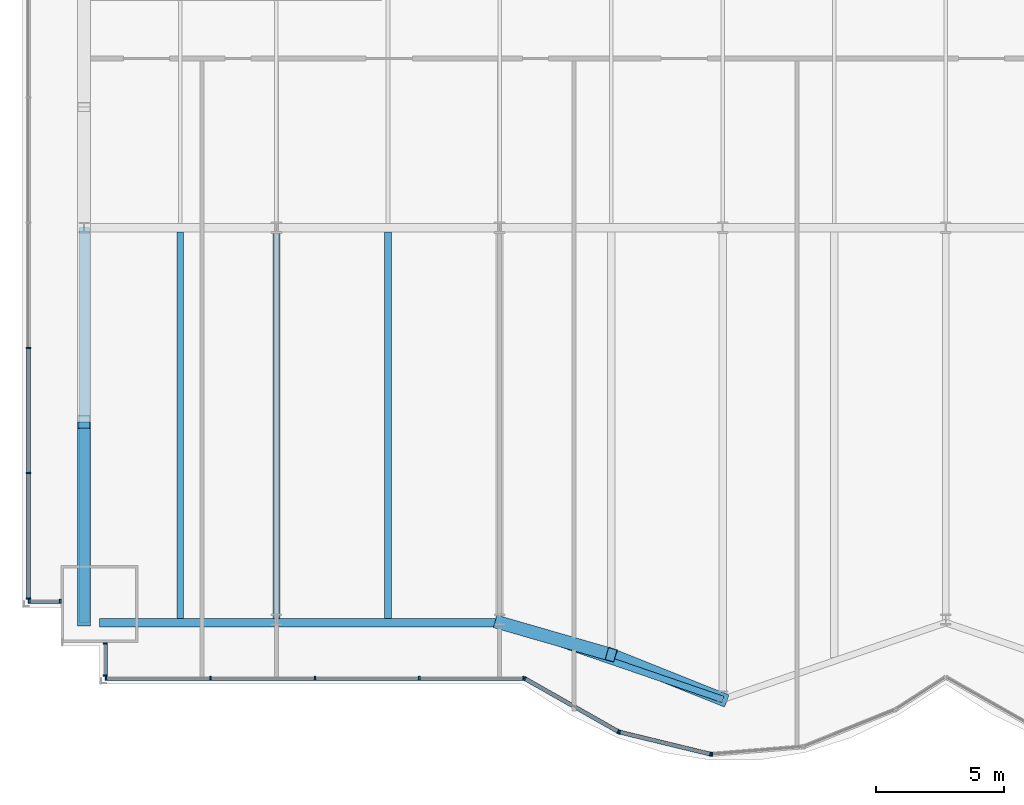
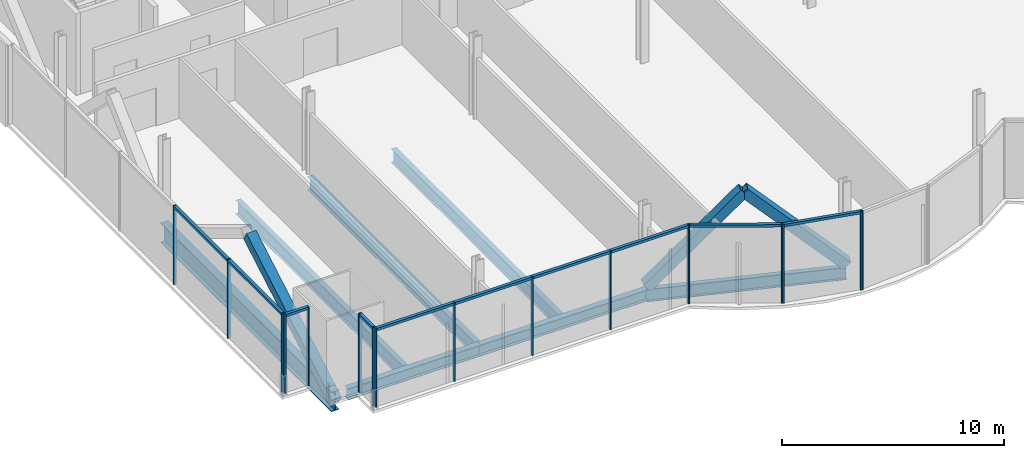
# One storey, part 4 of 21: 30 members, 7 beams, 5 elements without a shape of their own.
"""IFC4 building model written with IfcOpenShell, lengths in metres."""

import ifcopenshell
import ifcopenshell.guid

model = None  # the IFC model being written
_history = None  # IfcOwnerHistory: only IFC2X3 demands one
_inside = {}  # id of a spatial element -> (the spatial element, [elements in it])
_under = {}  # id of a project, library or spatial element -> (it, [spatial elements below it])
_declared = {}  # id of a project -> (the project, [libraries it declares])
_typed = {}  # id of a type object -> (the type object, [elements of that type])
_made_of = {}  # id of a material, layer set ... -> (it, [elements and type objects made of it])


def new_model(schema):
    """Start an empty IFC model of exactly this schema.

    Asked for "IFC4X3", IfcOpenShell would pick the latest addendum, in which some entities
    have other attributes; the version numbers below select the first issue.
    IFC2X3 requires an IfcOwnerHistory on every rooted entity: one is made here for all.
    """
    global model, _history
    if schema == "IFC4X3":
        model = ifcopenshell.file(schema_version=(4, 3, 0, 0))
    else:
        model = ifcopenshell.file(schema=schema)
    _inside.clear()
    _under.clear()
    _declared.clear()
    _typed.clear()
    _made_of.clear()
    _history = None
    if model.schema == "IFC2X3":
        org = make("IfcOrganization", Name="unknown")
        user = make(
            "IfcPersonAndOrganization",
            ThePerson=make("IfcPerson", FamilyName="unknown"),
            TheOrganization=org,
        )
        app = make(
            "IfcApplication",
            ApplicationDeveloper=org,
            Version="unknown",
            ApplicationFullName="unknown",
            ApplicationIdentifier="unknown",
        )
        _history = make(
            "IfcOwnerHistory",
            OwningUser=user,
            OwningApplication=app,
            ChangeAction="ADDED",
            CreationDate=0,
        )
    return model


def make(cls, **values):
    """One entity of the class cls with the attributes given. An attribute that is None is left unset."""
    return model.create_entity(
        cls, **{name: value for name, value in values.items() if value is not None}
    )


def rooted(cls, **values):
    """An entity with a GlobalId (a new one), such as an element, a storey or a relation."""
    return make(cls, GlobalId=ifcopenshell.guid.new(), OwnerHistory=_history, **values)


def si_unit(unit_type, name, prefix=None):
    """IfcSIUnit, for example si_unit("LENGTHUNIT", "METRE", prefix="MILLI")."""
    return make("IfcSIUnit", UnitType=unit_type, Prefix=prefix, Name=name)


def assignment(units):
    """IfcUnitAssignment: the units of a project."""
    return None if units is None else make("IfcUnitAssignment", Units=units)


def point(xyz):
    """IfcCartesianPoint."""
    return None if xyz is None else make("IfcCartesianPoint", Coordinates=xyz)


def direction(xyz):
    """IfcDirection."""
    return None if xyz is None else make("IfcDirection", DirectionRatios=xyz)


def frame(location, z_axis=None, x_axis=None):
    """IfcAxis2Placement3D, a coordinate frame: its origin and axes. An axis left out is left unset."""
    return make(
        "IfcAxis2Placement3D",
        Location=point(location),
        Axis=direction(z_axis),
        RefDirection=direction(x_axis),
    )


def frame_2d(location, x_axis=None):
    """IfcAxis2Placement2D, a coordinate frame in the plane: its origin and x axis."""
    return make(
        "IfcAxis2Placement2D", Location=point(location), RefDirection=direction(x_axis)
    )


def origin():
    """The frame at (0, 0, 0) with its axes left unset."""
    return frame((0.0, 0.0, 0.0))


def origin_2d():
    """The frame at (0, 0) in the plane with its x axis left unset."""
    return frame_2d((0.0, 0.0))


def place(relative_to, where):
    """IfcLocalPlacement: puts the frame where relative to a parent placement (None: the world)."""
    return make(
        "IfcLocalPlacement", PlacementRelTo=relative_to, RelativePlacement=where
    )


def context(
    kind, dimensions, precision=None, world=None, true_north=None, identifier=None
):
    """IfcGeometricRepresentationContext, for example the 3D "Model" context."""
    return make(
        "IfcGeometricRepresentationContext",
        ContextIdentifier=identifier,
        ContextType=kind,
        CoordinateSpaceDimension=dimensions,
        Precision=precision,
        WorldCoordinateSystem=world,
        TrueNorth=true_north,
    )


def subcontext(parent, identifier, kind, view, scale=None):
    """IfcGeometricRepresentationSubContext, for example "Body" below "Model"."""
    return make(
        "IfcGeometricRepresentationSubContext",
        ContextIdentifier=identifier,
        ContextType=kind,
        ParentContext=parent,
        TargetScale=scale,
        TargetView=view,
    )


def project(units=None, contexts=None):
    """IfcProject with its units and contexts."""
    return rooted(
        "IfcProject",
        Name="project",
        RepresentationContexts=contexts,
        UnitsInContext=assignment(units),
    )


def spatial(cls, under=None, at=None, **own):
    """A site, building, storey or space (cls), placed at a placement, below another one or the project."""
    s = rooted(cls, ObjectPlacement=at, **own)
    if under is not None:
        _under.setdefault(under.id(), (under, []))[1].append(s)
    return s


def profile(cls, at=None, kind="AREA", **sizes):
    """A parametric profile (cls). Its sizes go by their IFC names, for example OverallWidth=200.0."""
    return make(cls, ProfileType=kind, Position=at, **sizes)


def rectangle(**sizes):
    """IfcRectangleProfileDef."""
    return profile("IfcRectangleProfileDef", **sizes)


def hollow_rectangle(**sizes):
    """IfcRectangleHollowProfileDef."""
    return profile("IfcRectangleHollowProfileDef", **sizes)


def i_section(**sizes):
    """IfcIShapeProfileDef."""
    return profile("IfcIShapeProfileDef", **sizes)


def extrude(swept, where, along, depth):
    """IfcExtrudedAreaSolid: the profile swept, set in the frame where, extruded along a direction by depth."""
    return make(
        "IfcExtrudedAreaSolid",
        SweptArea=swept,
        Position=where,
        ExtrudedDirection=direction(along),
        Depth=depth,
    )


def shape(context_of_items, identifier, shape_type, items):
    """IfcShapeRepresentation: the items that make up one representation, for example the "Body"."""
    return make(
        "IfcShapeRepresentation",
        ContextOfItems=context_of_items,
        RepresentationIdentifier=identifier,
        RepresentationType=shape_type,
        Items=items,
    )


def material(Name=None, Category=None):
    """IfcMaterial."""
    return make("IfcMaterial", Name=Name, Category=Category)


def material_profile(
    of_material, cross_section, Name=None, Category=None, Priority=None
):
    """IfcMaterialProfile: a cross section and its material."""
    return make(
        "IfcMaterialProfile",
        Name=Name,
        Material=of_material,
        Profile=cross_section,
        Priority=Priority,
        Category=Category,
    )


def profile_set(profiles, Name=None, composite=None):
    """IfcMaterialProfileSet."""
    return make(
        "IfcMaterialProfileSet",
        Name=Name,
        MaterialProfiles=profiles,
        CompositeProfile=composite,
    )


def made_of(thing, what):
    """Note that an element or type object is made of a material, layer set ...; save() writes the relation."""
    if what is not None:
        _made_of.setdefault(what.id(), (what, []))[1].append(thing)
    return thing


def type_object(cls, material=None, **own):
    """A type object (cls), such as IfcWallType, which elements share."""
    return made_of(rooted(cls, **own), material)


def element(
    cls,
    number,
    at=None,
    inside=None,
    cuts=None,
    type_object=None,
    material=None,
    context=None,
    identifier="Body",
    shape_type=None,
    held_by="IfcProductDefinitionShape",
    body=None,
    shapes=None,
    **own,
):
    """One element of the class cls, such as IfcWall. Its Tag is "e" and its number.

    at: its placement. inside: the storey or other place that contains it. cuts: it is an
    opening in that element (IfcRelVoidsElement). A single representation is given by context,
    identifier, shape_type and body (its items); several are given by shapes. held_by: the class
    of the entity that holds the representations. save() writes the other relations.
    """
    e = rooted(cls, Tag="e%d" % number, ObjectPlacement=at, **own)
    if body is not None:
        shapes = [shape(context, identifier, shape_type, body)]
    if shapes is not None:
        e.Representation = make(held_by, Representations=shapes)
    if inside is not None:
        _inside.setdefault(inside.id(), (inside, []))[1].append(e)
    if cuts is not None:
        rooted(
            "IfcRelVoidsElement", RelatingBuildingElement=cuts, RelatedOpeningElement=e
        )
    if type_object is not None:
        _typed.setdefault(type_object.id(), (type_object, []))[1].append(e)
    return made_of(e, material)


def aggregate(whole, parts):
    """IfcRelAggregates: a whole, such as a stair, and the parts it consists of."""
    return rooted("IfcRelAggregates", RelatingObject=whole, RelatedObjects=parts)


def save(model, path):
    """Write the relations noted so far, then the file.

    IfcRelAggregates (storeys below a building ...), IfcRelContainedInSpatialStructure (elements
    in a storey), IfcRelDefinesByType, IfcRelAssociatesMaterial and IfcRelDeclares: one each for
    every whole, place, type object, material and project.
    """
    for whole, parts in _under.values():
        aggregate(whole, parts)
    for where, things in _inside.values():
        rooted(
            "IfcRelContainedInSpatialStructure",
            RelatedElements=things,
            RelatingStructure=where,
        )
    for kind, things in _typed.values():
        rooted("IfcRelDefinesByType", RelatedObjects=things, RelatingType=kind)
    for what, things in _made_of.values():
        rooted("IfcRelAssociatesMaterial", RelatedObjects=things, RelatingMaterial=what)
    for by, libraries in _declared.values():
        rooted("IfcRelDeclares", RelatingContext=by, RelatedDefinitions=libraries)
    model.write(path)


model = new_model("IFC4")

# Units and contexts
model_context = context("Model", 3, precision=1e-05, world=origin(), true_north=direction((0.0, 1.0)))
body_context = subcontext(model_context, "Body", "Model", "MODEL_VIEW")
ifc_project = project(units=[si_unit("LENGTHUNIT", "METRE"), si_unit("AREAUNIT", "SQUARE_METRE"), si_unit("VOLUMEUNIT", "CUBIC_METRE"), si_unit("PLANEANGLEUNIT", "RADIAN"), si_unit("MASSUNIT", "GRAM", prefix="KILO")], contexts=[model_context])

# Site, building, storey
site_placement = place(None, origin())
site = spatial("IfcSite", under=ifc_project, at=site_placement, CompositionType="ELEMENT")
building_placement = place(site_placement, origin())
building = spatial("IfcBuilding", under=site, at=building_placement, Name="Bicima Exchange Tower", CompositionType="ELEMENT")
storey_placement = place(building_placement, frame((0.0, 0.0, 75.5)))
storey = spatial("IfcBuildingStorey", under=building, at=storey_placement, Name="L15", CompositionType="ELEMENT", Elevation=75.5)

# Curtain wall, members
ifc_material_1 = material(Name="Anodised bronze aluminium", Category="aluminium")
curtain_wall_type_1 = type_object("IfcCurtainWallType", Name="End face glass wall", PredefinedType="NOTDEFINED", material=ifc_material_1)
curtain_wall_1_placement = place(storey_placement, origin())
curtain_wall_1 = element("IfcCurtainWall", 1, at=curtain_wall_1_placement, inside=storey, type_object=curtain_wall_type_1, Name="End face glass wall L15 run 2", PredefinedType="NOTDEFINED")
ifc_material_profile_1 = material_profile(ifc_material_1, rectangle(XDim=0.159912109375, YDim=0.06005859375, at=origin_2d()))
ifc_profile_set_1 = profile_set([ifc_material_profile_1], Name="Anodised bronze aluminium")
member_type_1 = type_object("IfcMemberType", Name="End face glass wall mullion 60 x 160", PredefinedType="MULLION", material=ifc_profile_set_1)
member_1_placement = place(storey_placement, frame((-35.77001953125, -26.6904296875, 0.0), z_axis=(0.0, 0.0, 1.0), x_axis=(1.0, 0.0, 0.0)))
member_1 = element("IfcMember", 2, at=member_1_placement, type_object=member_type_1, Name="End face glass wall mullion 4", PredefinedType="MULLION", context=body_context, shape_type="SweptSolid", body=[
    extrude(rectangle(XDim=0.159912109375, YDim=0.06005859375, at=origin_2d()), origin(), (0.0, 0.0, 1.0), 4.35009765625),
])
member_2_placement = place(storey_placement, frame((-35.77001953125, -31.5771484375, 0.0), z_axis=(0.0, 0.0, 1.0), x_axis=(1.0, 0.0, 0.0)))
member_2 = element("IfcMember", 3, at=member_2_placement, type_object=member_type_1, Name="End face glass wall mullion 5", PredefinedType="MULLION", context=body_context, shape_type="SweptSolid", body=[
    extrude(rectangle(XDim=0.159912109375, YDim=0.06005859375, at=origin_2d()), origin(), (0.0, 0.0, 1.0), 4.35009765625),
])
member_3_placement = place(storey_placement, frame((-35.77001953125, -36.464111328125, 0.0), z_axis=(0.0, 0.0, 1.0), x_axis=(1.0, 0.0, 0.0)))
member_3 = element("IfcMember", 4, at=member_3_placement, type_object=member_type_1, Name="End face glass wall mullion 6", PredefinedType="MULLION", context=body_context, shape_type="SweptSolid", body=[
    extrude(rectangle(XDim=0.159912109375, YDim=0.06005859375, at=origin_2d()), origin(), (0.0, 0.0, 1.0), 4.35009765625),
])
ifc_material_profile_2 = material_profile(ifc_material_1, rectangle(XDim=0.159912109375, YDim=0.139892578125, at=origin_2d()))
ifc_profile_set_2 = profile_set([ifc_material_profile_2], Name="Anodised bronze aluminium")
member_type_2 = type_object("IfcMemberType", Name="End face glass wall transom 140 x 160", PredefinedType="USERDEFINED", material=ifc_profile_set_2)
member_4_placement = place(storey_placement, frame((-35.77001953125, -26.720458984375, 4.280029296875), z_axis=(0.0, -1.0, 0.0), x_axis=(1.0, 0.0, 0.0)))
member_4 = element("IfcMember", 5, at=member_4_placement, type_object=member_type_2, Name="End face glass wall transom 4.1", ObjectType="TRANSOM", PredefinedType="USERDEFINED", context=body_context, shape_type="SweptSolid", body=[
    extrude(rectangle(XDim=0.159912109375, YDim=0.139892578125, at=origin_2d()), origin(), (0.0, 0.0, 1.0), 4.82666015625),
])
member_5_placement = place(storey_placement, frame((-35.77001953125, -31.607177734375, 4.280029296875), z_axis=(0.0, -1.0, 0.0), x_axis=(1.0, 0.0, 0.0)))
member_5 = element("IfcMember", 6, at=member_5_placement, type_object=member_type_2, Name="End face glass wall transom 5.1", ObjectType="TRANSOM", PredefinedType="USERDEFINED", context=body_context, shape_type="SweptSolid", body=[
    extrude(rectangle(XDim=0.159912109375, YDim=0.139892578125, at=origin_2d()), origin(), (0.0, 0.0, 1.0), 4.826904296875),
])
aggregate(curtain_wall_1, [member_1, member_2, member_3, member_4, member_5])

# Beams
ifc_material_2 = material(Name="Steel ASTM A992 Gr 50", Category="steel")
ifc_material_profile_3 = material_profile(ifc_material_2, i_section(OverallWidth=0.4013671875, OverallDepth=1.089599609375, WebThickness=0.01806640625, FlangeThickness=0.031005859375, at=origin_2d()))
ifc_profile_set_3 = profile_set([ifc_material_profile_3], Name="Steel ASTM A992 Gr 50")
beam_type_1 = type_object("IfcBeamType", Name="End girder W44x230", PredefinedType="BEAM", material=ifc_profile_set_3)
beam_1_placement = place(storey_placement, frame((-33.60009765625, -22.0, -0.69482421875), z_axis=(0.0, -1.0, 0.0), x_axis=(1.0, 0.0, 0.0)))
element("IfcBeam", 7, at=beam_1_placement, inside=storey, type_object=beam_type_1, Name="End girder", PredefinedType="BEAM", context=body_context, shape_type="SweptSolid", body=[
    extrude(i_section(OverallWidth=0.4013671875, OverallDepth=1.089599609375, WebThickness=0.01806640625, FlangeThickness=0.031005859375, at=origin_2d()), origin(), (0.0, 0.0, 1.0), 15.404052734375),
])
ifc_material_profile_4 = material_profile(ifc_material_2, i_section(OverallWidth=0.2666015625, OverallDepth=0.75439453125, WebThickness=0.01318359375, FlangeThickness=0.01708984375, at=origin_2d()))
ifc_profile_set_4 = profile_set([ifc_material_profile_4], Name="Steel ASTM A992 Gr 50")
beam_type_2 = type_object("IfcBeamType", Name="Floor beam W30x99", PredefinedType="JOIST", material=ifc_profile_set_4)
for number, where, z_axis, x_axis, name in (
    (8, (-29.85009765625, -22.16259765625, -0.527099609375), (0.0, -1.0, 0.0), (1.0, 0.0, 0.0), "Floor beam"),
    (9, (-26.10009765625, -22.16259765625, -0.527099609375), (0.0, -1.0, 0.0), (1.0, 0.0, 0.0), "Floor beam"),
    (10, (-21.75, -22.16259765625, -0.527099609375), (0.0, -1.0, 0.0), (1.0, 0.0, 0.0), "Floor beam"),
):
    element("IfcBeam", number, at=place(storey_placement, frame(where, z_axis=z_axis, x_axis=x_axis)), inside=storey, type_object=beam_type_2, Name=name, PredefinedType="JOIST", context=body_context, shape_type="SweptSolid", body=[
        extrude(i_section(OverallWidth=0.2666015625, OverallDepth=0.75439453125, WebThickness=0.01318359375, FlangeThickness=0.01708984375, at=origin_2d()), origin(), (0.0, 0.0, 1.0), 15.078857421875),
    ])
ifc_material_profile_5 = material_profile(ifc_material_2, i_section(OverallWidth=0.3251953125, OverallDepth=0.612060546875, WebThickness=0.0126953125, FlangeThickness=0.01904296875, at=origin_2d()))
ifc_profile_set_5 = profile_set([ifc_material_profile_5], Name="Steel ASTM A992 Gr 50")
beam_type_3 = type_object("IfcBeamType", Name="Front girder W24x104", PredefinedType="BEAM", material=ifc_profile_set_5)
beam_2_placement = place(storey_placement, frame((-33.0, -37.404052734375, -0.4560546875), z_axis=(1.0, 0.0, 0.0), x_axis=(0.0, 1.0, 0.0)))
element("IfcBeam", 11, at=beam_2_placement, inside=storey, type_object=beam_type_3, Name="Front girder", PredefinedType="BEAM", context=body_context, shape_type="SweptSolid", body=[
    extrude(i_section(OverallWidth=0.3251953125, OverallDepth=0.612060546875, WebThickness=0.0126953125, FlangeThickness=0.01904296875, at=origin_2d()), origin(), (0.0, 0.0, 1.0), 6.89990234375),
])
beam_3_placement = place(storey_placement, frame((-26.10009765625, -37.404052734375, -0.4560546875), z_axis=(1.0, 0.0, 0.0), x_axis=(0.0, 1.0, 0.0)))
element("IfcBeam", 12, at=beam_3_placement, inside=storey, type_object=beam_type_3, Name="Front girder", PredefinedType="BEAM", context=body_context, shape_type="SweptSolid", body=[
    extrude(i_section(OverallWidth=0.3251953125, OverallDepth=0.612060546875, WebThickness=0.0126953125, FlangeThickness=0.01904296875, at=origin_2d()), origin(), (0.0, 0.0, 1.0), 8.7001953125),
])
ifc_material_profile_6 = material_profile(ifc_material_2, i_section(OverallWidth=0.256591796875, OverallDepth=0.693359375, WebThickness=0.014404296875, FlangeThickness=0.023681640625, at=origin_2d()))
ifc_profile_set_6 = profile_set([ifc_material_profile_6], Name="Steel ASTM A992 Gr 50")
beam_type_4 = type_object("IfcBeamType", Name="Front girder W27x114", PredefinedType="BEAM", material=ifc_profile_set_6)
beam_4_placement = place(storey_placement, frame((-17.39990234375, -37.404052734375, -0.49658203125), z_axis=(0.945674616091, -0.32511462668, 0.0), x_axis=(0.32511462668, 0.945674616091, 0.0)))
element("IfcBeam", 13, at=beam_4_placement, inside=storey, type_object=beam_type_4, Name="Front girder", PredefinedType="BEAM", context=body_context, shape_type="SweptSolid", body=[
    extrude(i_section(OverallWidth=0.256591796875, OverallDepth=0.693359375, WebThickness=0.014404296875, FlangeThickness=0.023681640625, at=origin_2d()), origin(), (0.0, 0.0, 1.0), 9.19970703125),
])

# Curtain wall, members
curtain_wall_type_2 = type_object("IfcCurtainWallType", Name="Front glass wall", PredefinedType="NOTDEFINED", material=ifc_material_1)
curtain_wall_2_placement = place(storey_placement, origin())
curtain_wall_2 = element("IfcCurtainWall", 14, at=curtain_wall_2_placement, inside=storey, type_object=curtain_wall_type_2, Name="Front glass wall L15 run 3", PredefinedType="NOTDEFINED")
member_type_3 = type_object("IfcMemberType", Name="Front glass wall mullion 60 x 160", PredefinedType="MULLION", material=ifc_profile_set_1)
member_6_placement = place(storey_placement, frame((-35.739990234375, -36.573974609375, 0.0), z_axis=(0.0, 0.0, 1.0), x_axis=(0.0, 1.0, 0.0)))
member_6 = element("IfcMember", 15, at=member_6_placement, type_object=member_type_3, Name="Front glass wall mullion 1", PredefinedType="MULLION", context=body_context, shape_type="SweptSolid", body=[
    extrude(rectangle(XDim=0.159912109375, YDim=0.06005859375, at=origin_2d()), origin(), (0.0, 0.0, 1.0), 4.35009765625),
])
member_7_placement = place(storey_placement, frame((-34.530029296875, -36.573974609375, 0.0), z_axis=(0.0, 0.0, 1.0), x_axis=(0.0, 1.0, 0.0)))
member_7 = element("IfcMember", 16, at=member_7_placement, type_object=member_type_3, Name="Front glass wall mullion 2", PredefinedType="MULLION", context=body_context, shape_type="SweptSolid", body=[
    extrude(rectangle(XDim=0.159912109375, YDim=0.06005859375, at=origin_2d()), origin(), (0.0, 0.0, 1.0), 4.35009765625),
])

curtain_wall_3_placement = place(storey_placement, origin())
curtain_wall_3 = element("IfcCurtainWall", 17, at=curtain_wall_3_placement, inside=storey, type_object=curtain_wall_type_2, Name="Front glass wall L15 run 4", PredefinedType="NOTDEFINED")
member_8_placement = place(storey_placement, frame((-32.77001953125, -38.2119140625, 0.0), z_axis=(0.0, 0.0, 1.0), x_axis=(1.0, 0.0, 0.0)))
member_8 = element("IfcMember", 18, at=member_8_placement, type_object=member_type_3, Name="Front glass wall mullion 1", PredefinedType="MULLION", context=body_context, shape_type="SweptSolid", body=[
    extrude(rectangle(XDim=0.159912109375, YDim=0.06005859375, at=origin_2d()), origin(), (0.0, 0.0, 1.0), 4.35009765625),
])
member_9_placement = place(storey_placement, frame((-32.77001953125, -39.464111328125, 0.0), z_axis=(0.0, 0.0, 1.0), x_axis=(1.0, 0.0, 0.0)))
member_9 = element("IfcMember", 19, at=member_9_placement, type_object=member_type_3, Name="Front glass wall mullion 2", PredefinedType="MULLION", context=body_context, shape_type="SweptSolid", body=[
    extrude(rectangle(XDim=0.159912109375, YDim=0.06005859375, at=origin_2d()), origin(), (0.0, 0.0, 1.0), 4.35009765625),
])

curtain_wall_4_placement = place(storey_placement, origin())
curtain_wall_4 = element("IfcCurtainWall", 20, at=curtain_wall_4_placement, inside=storey, type_object=curtain_wall_type_2, Name="Front glass wall L15 run 5", PredefinedType="NOTDEFINED")
member_10_placement = place(storey_placement, frame((-32.739990234375, -39.573974609375, 0.0), z_axis=(0.0, 0.0, 1.0), x_axis=(0.0, 1.0, 0.0)))
member_10 = element("IfcMember", 21, at=member_10_placement, type_object=member_type_3, Name="Front glass wall mullion 1", PredefinedType="MULLION", context=body_context, shape_type="SweptSolid", body=[
    extrude(rectangle(XDim=0.159912109375, YDim=0.06005859375, at=origin_2d()), origin(), (0.0, 0.0, 1.0), 4.35009765625),
])
member_11_placement = place(storey_placement, frame((-28.67041015625, -39.573974609375, 0.0), z_axis=(0.0, 0.0, 1.0), x_axis=(0.0, 1.0, 0.0)))
member_11 = element("IfcMember", 22, at=member_11_placement, type_object=member_type_3, Name="Front glass wall mullion 2", PredefinedType="MULLION", context=body_context, shape_type="SweptSolid", body=[
    extrude(rectangle(XDim=0.159912109375, YDim=0.06005859375, at=origin_2d()), origin(), (0.0, 0.0, 1.0), 4.35009765625),
])
member_12_placement = place(storey_placement, frame((-24.60107421875, -39.573974609375, 0.0), z_axis=(0.0, 0.0, 1.0), x_axis=(0.0, 1.0, 0.0)))
member_12 = element("IfcMember", 23, at=member_12_placement, type_object=member_type_3, Name="Front glass wall mullion 3", PredefinedType="MULLION", context=body_context, shape_type="SweptSolid", body=[
    extrude(rectangle(XDim=0.159912109375, YDim=0.06005859375, at=origin_2d()), origin(), (0.0, 0.0, 1.0), 4.35009765625),
])
member_13_placement = place(storey_placement, frame((-20.531494140625, -39.573974609375, 0.0), z_axis=(0.0, 0.0, 1.0), x_axis=(0.0, 1.0, 0.0)))
member_13 = element("IfcMember", 24, at=member_13_placement, type_object=member_type_3, Name="Front glass wall mullion 4", PredefinedType="MULLION", context=body_context, shape_type="SweptSolid", body=[
    extrude(rectangle(XDim=0.159912109375, YDim=0.06005859375, at=origin_2d()), origin(), (0.0, 0.0, 1.0), 4.35009765625),
])
member_14_placement = place(storey_placement, frame((-16.462158203125, -39.573974609375, 0.0), z_axis=(0.0, 0.0, 1.0), x_axis=(0.0, 1.0, 0.0)))
member_14 = element("IfcMember", 25, at=member_14_placement, type_object=member_type_3, Name="Front glass wall mullion 5", PredefinedType="MULLION", context=body_context, shape_type="SweptSolid", body=[
    extrude(rectangle(XDim=0.159912109375, YDim=0.06005859375, at=origin_2d()), origin(), (0.0, 0.0, 1.0), 4.35009765625),
])

curtain_wall_5_placement = place(storey_placement, origin())
curtain_wall_5 = element("IfcCurtainWall", 26, at=curtain_wall_5_placement, inside=storey, type_object=curtain_wall_type_2, Name="Front glass wall L15 run 6", PredefinedType="NOTDEFINED")
member_15_placement = place(storey_placement, frame((-16.406005859375, -39.5888671875, 0.0), z_axis=(0.0, 0.0, 1.0), x_axis=(0.493395449343, 0.869805110681, 0.0)))
member_15 = element("IfcMember", 27, at=member_15_placement, type_object=member_type_3, Name="Front glass wall mullion 1", PredefinedType="MULLION", context=body_context, shape_type="SweptSolid", body=[
    extrude(rectangle(XDim=0.159912109375, YDim=0.06005859375, at=origin_2d()), origin(), (0.0, 0.0, 1.0), 4.35009765625),
])
member_16_placement = place(storey_placement, frame((-12.7734375, -41.6494140625, 0.0), z_axis=(0.0, 0.0, 1.0), x_axis=(0.493395449343, 0.869805110681, 0.0)))
member_16 = element("IfcMember", 28, at=member_16_placement, type_object=member_type_3, Name="Front glass wall mullion 2", PredefinedType="MULLION", context=body_context, shape_type="SweptSolid", body=[
    extrude(rectangle(XDim=0.159912109375, YDim=0.06005859375, at=origin_2d()), origin(), (0.0, 0.0, 1.0), 4.35009765625),
])
member_17_placement = place(storey_placement, frame((-12.718017578125, -41.67138671875, 0.0), z_axis=(0.0, 0.0, 1.0), x_axis=(0.235681529503, 0.971830343553, 0.0)))
member_17 = element("IfcMember", 29, at=member_17_placement, type_object=member_type_3, Name="Front glass wall mullion 1", PredefinedType="MULLION", context=body_context, shape_type="SweptSolid", body=[
    extrude(rectangle(XDim=0.159912109375, YDim=0.06005859375, at=origin_2d()), origin(), (0.0, 0.0, 1.0), 4.35009765625),
])
member_18_placement = place(storey_placement, frame((-9.177490234375, -42.52978515625, 0.0), z_axis=(0.0, 0.0, 1.0), x_axis=(0.235681529503, 0.971830343553, 0.0)))
member_18 = element("IfcMember", 30, at=member_18_placement, type_object=member_type_3, Name="Front glass wall mullion 2", PredefinedType="MULLION", context=body_context, shape_type="SweptSolid", body=[
    extrude(rectangle(XDim=0.159912109375, YDim=0.06005859375, at=origin_2d()), origin(), (0.0, 0.0, 1.0), 4.35009765625),
])
member_19_placement = place(storey_placement, frame((-9.118408203125, -42.53466796875, 0.0), z_axis=(0.0, 0.0, 1.0), x_axis=(-0.080588612633, 0.99674744821, 0.0)))
member_19 = element("IfcMember", 31, at=member_19_placement, type_object=member_type_3, Name="Front glass wall mullion 1", PredefinedType="MULLION", context=body_context, shape_type="SweptSolid", body=[
    extrude(rectangle(XDim=0.159912109375, YDim=0.06005859375, at=origin_2d()), origin(), (0.0, 0.0, 1.0), 4.35009765625),
])

# Member
member_type_4 = type_object("IfcMemberType", Name="Front glass wall transom 140 x 160", PredefinedType="USERDEFINED", material=ifc_profile_set_2)
member_20_placement = place(storey_placement, frame((-35.7099609375, -36.573974609375, 4.280029296875), z_axis=(1.0, 0.0, 0.0), x_axis=(0.0, 1.0, 0.0)))
member_20 = element("IfcMember", 32, at=member_20_placement, type_object=member_type_4, Name="Front glass wall transom 1.1", ObjectType="TRANSOM", PredefinedType="USERDEFINED", context=body_context, shape_type="SweptSolid", body=[
    extrude(rectangle(XDim=0.159912109375, YDim=0.139892578125, at=origin_2d()), origin(), (0.0, 0.0, 1.0), 1.14990234375),
])

aggregate(curtain_wall_2, [member_6, member_7, member_20])

member_21_placement = place(storey_placement, frame((-32.77001953125, -38.241943359375, 4.280029296875), z_axis=(0.0, -1.0, 0.0), x_axis=(1.0, 0.0, 0.0)))
member_21 = element("IfcMember", 33, at=member_21_placement, type_object=member_type_4, Name="Front glass wall transom 1.1", ObjectType="TRANSOM", PredefinedType="USERDEFINED", context=body_context, shape_type="SweptSolid", body=[
    extrude(rectangle(XDim=0.159912109375, YDim=0.139892578125, at=origin_2d()), origin(), (0.0, 0.0, 1.0), 1.192138671875),
])

aggregate(curtain_wall_3, [member_8, member_9, member_21])

member_22_placement = place(storey_placement, frame((-32.7099609375, -39.573974609375, 4.280029296875), z_axis=(1.0, 0.0, 0.0), x_axis=(0.0, 1.0, 0.0)))
member_22 = element("IfcMember", 34, at=member_22_placement, type_object=member_type_4, Name="Front glass wall transom 1.1", ObjectType="TRANSOM", PredefinedType="USERDEFINED", context=body_context, shape_type="SweptSolid", body=[
    extrude(rectangle(XDim=0.159912109375, YDim=0.139892578125, at=origin_2d()), origin(), (0.0, 0.0, 1.0), 4.009521484375),
])

member_23_placement = place(storey_placement, frame((-28.640380859375, -39.573974609375, 4.280029296875), z_axis=(1.0, 0.0, 0.0), x_axis=(0.0, 1.0, 0.0)))
member_23 = element("IfcMember", 35, at=member_23_placement, type_object=member_type_4, Name="Front glass wall transom 2.1", ObjectType="TRANSOM", PredefinedType="USERDEFINED", context=body_context, shape_type="SweptSolid", body=[
    extrude(rectangle(XDim=0.159912109375, YDim=0.139892578125, at=origin_2d()), origin(), (0.0, 0.0, 1.0), 4.00927734375),
])

member_24_placement = place(storey_placement, frame((-24.571044921875, -39.573974609375, 4.280029296875), z_axis=(1.0, 0.0, 0.0), x_axis=(0.0, 1.0, 0.0)))
member_24 = element("IfcMember", 36, at=member_24_placement, type_object=member_type_4, Name="Front glass wall transom 3.1", ObjectType="TRANSOM", PredefinedType="USERDEFINED", context=body_context, shape_type="SweptSolid", body=[
    extrude(rectangle(XDim=0.159912109375, YDim=0.139892578125, at=origin_2d()), origin(), (0.0, 0.0, 1.0), 4.009521484375),
])

member_25_placement = place(storey_placement, frame((-20.501708984375, -39.573974609375, 4.280029296875), z_axis=(1.0, 0.0, 0.0), x_axis=(0.0, 1.0, 0.0)))
member_25 = element("IfcMember", 37, at=member_25_placement, type_object=member_type_4, Name="Front glass wall transom 4.1", ObjectType="TRANSOM", PredefinedType="USERDEFINED", context=body_context, shape_type="SweptSolid", body=[
    extrude(rectangle(XDim=0.159912109375, YDim=0.139892578125, at=origin_2d()), origin(), (0.0, 0.0, 1.0), 4.009521484375),
])

aggregate(curtain_wall_4, [member_10, member_11, member_12, member_13, member_14, member_22, member_23, member_24, member_25])

member_26_placement = place(storey_placement, frame((-16.3798828125, -39.603515625, 4.280029296875), z_axis=(0.869797371721, -0.49340909208, 0.0), x_axis=(0.49340909208, 0.869797371721, 0.0)))
member_26 = element("IfcMember", 38, at=member_26_placement, type_object=member_type_4, Name="Front glass wall transom 1.1", ObjectType="TRANSOM", PredefinedType="USERDEFINED", context=body_context, shape_type="SweptSolid", body=[
    extrude(rectangle(XDim=0.159912109375, YDim=0.139892578125, at=origin_2d()), origin(), (0.0, 0.0, 1.0), 4.1162109375),
])

member_27_placement = place(storey_placement, frame((-12.68896484375, -41.67822265625, 4.280029296875), z_axis=(0.971817951661, -0.235732621477, 0.0), x_axis=(0.235732621477, 0.971817951661, 0.0)))
member_27 = element("IfcMember", 39, at=member_27_placement, type_object=member_type_4, Name="Front glass wall transom 1.1", ObjectType="TRANSOM", PredefinedType="USERDEFINED", context=body_context, shape_type="SweptSolid", body=[
    extrude(rectangle(XDim=0.159912109375, YDim=0.139892578125, at=origin_2d()), origin(), (0.0, 0.0, 1.0), 3.58349609375),
])

aggregate(curtain_wall_5, [member_15, member_16, member_26, member_17, member_18, member_27, member_19])

# Members
ifc_material_3 = material(Name="Steel ASTM A572 Gr 50", Category="steel")
ifc_material_profile_7 = material_profile(ifc_material_3, hollow_rectangle(XDim=0.508056640625, YDim=0.508056640625, WallThickness=0.017822265625, at=origin_2d()))
ifc_profile_set_7 = profile_set([ifc_material_profile_7], Name="Steel ASTM A572 Gr 50")
member_type_5 = type_object("IfcMemberType", Name="Mega brace HSS20x20x3/4", PredefinedType="BRACE", material=ifc_profile_set_7)
member_28_placement = place(storey_placement, frame((-17.39990234375, -37.404052734375, 0.0), z_axis=(0.681519101026, -0.196074923492, 0.705043501718), x_axis=(0.27648739579, 0.961017544049, 0.0)))
element("IfcMember", 40, at=member_28_placement, inside=storey, type_object=member_type_5, Name="Mega brace front", PredefinedType="BRACE", context=body_context, shape_type="SweptSolid", body=[
    extrude(hollow_rectangle(XDim=0.508056640625, YDim=0.508056640625, WallThickness=0.017822265625, at=origin_2d()), origin(), (0.0, 0.0, 1.0), 6.382568359375),
])
member_29_placement = place(storey_placement, frame((-8.699951171875, -40.39501953125, 0.0), z_axis=(-0.669648363719, 0.26777666357, 0.692724135148), x_axis=(-0.371291842786, -0.928516218211, 0.0)))
element("IfcMember", 41, at=member_29_placement, inside=storey, type_object=member_type_5, Name="Mega brace front", PredefinedType="BRACE", context=body_context, shape_type="SweptSolid", body=[
    extrude(hollow_rectangle(XDim=0.508056640625, YDim=0.508056640625, WallThickness=0.017822265625, at=origin_2d()), origin(), (0.0, 0.0, 1.0), 6.49609375),
])
member_30_placement = place(storey_placement, frame((-33.60009765625, -37.404052734375, -0.69482421875), z_axis=(0.0, 0.863433254491, 0.504463095815), x_axis=(-1.0, 0.0, 0.0)))
element("IfcMember", 42, at=member_30_placement, inside=storey, type_object=member_type_5, Name="Mega brace west end", PredefinedType="BRACE", context=body_context, shape_type="SweptSolid", body=[
    extrude(hollow_rectangle(XDim=0.508056640625, YDim=0.508056640625, WallThickness=0.017822265625, at=origin_2d()), origin(), (0.0, 0.0, 1.0), 8.92041015625),
])

save(model, "model.ifc")
